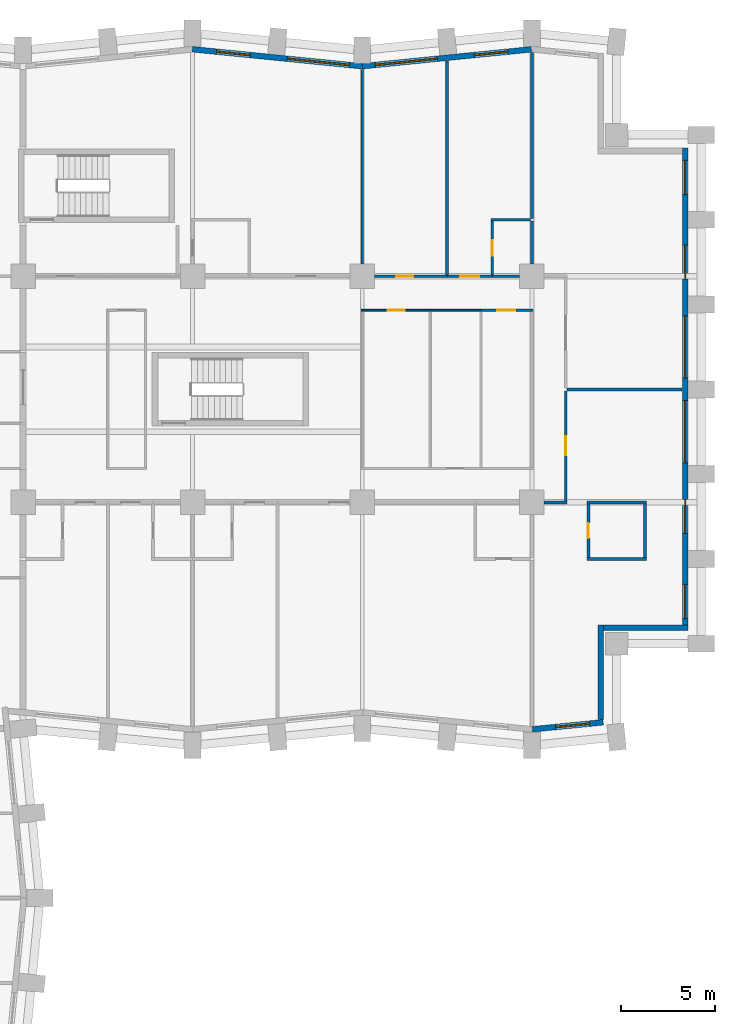
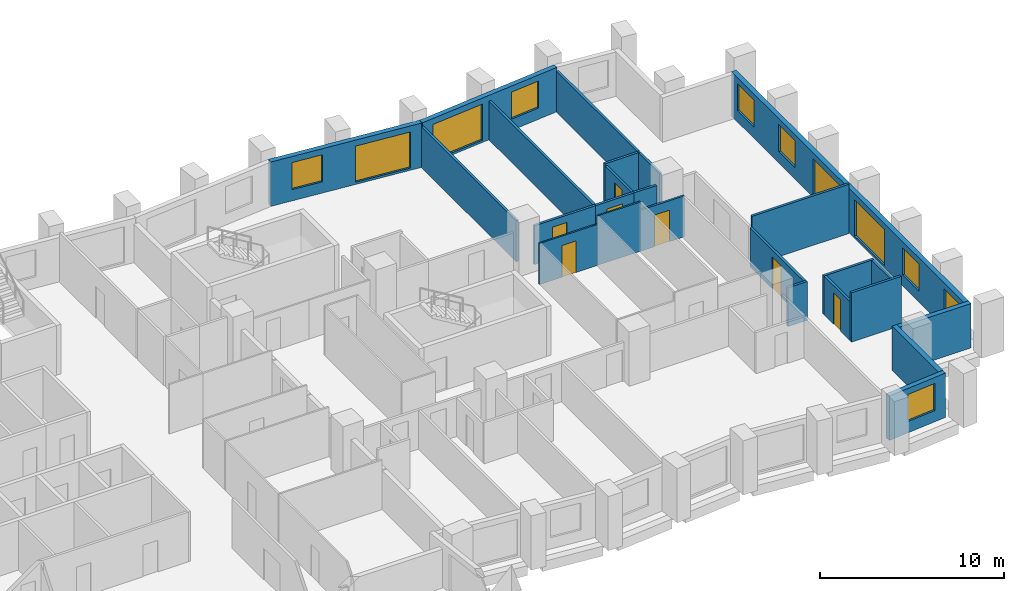
# One storey, part 9 of 12: 25 walls, 11 windows, 7 doors, 18 openings.
"""IFC4 building model written with IfcOpenShell, lengths in metres."""

from ifc_helpers import new_model, si_unit, direction, frame, frame_2d, origin, place, context, subcontext, project, spatial, rectangle, extrude, material, layer, layer_set, type_object, element, fill, save


model = new_model("IFC4")

# Units and contexts
model_context = context("Model", 3, precision=1e-05, world=origin(), true_north=direction((0.0, 1.0)))
body_context = subcontext(model_context, "Body", "Model", "MODEL_VIEW")
ifc_project = project(units=[si_unit("LENGTHUNIT", "METRE"), si_unit("AREAUNIT", "SQUARE_METRE"), si_unit("VOLUMEUNIT", "CUBIC_METRE"), si_unit("PLANEANGLEUNIT", "RADIAN"), si_unit("MASSUNIT", "GRAM", prefix="KILO")], contexts=[model_context])

# Site, building, storey
site_placement = place(None, origin())
site = spatial("IfcSite", under=ifc_project, at=site_placement, CompositionType="ELEMENT")
building_placement = place(site_placement, origin())
building = spatial("IfcBuilding", under=site, at=building_placement, Name="Brondeck Convention Tower", CompositionType="ELEMENT")
storey_placement = place(building_placement, frame((0.0, 0.0, 80.699951171875)))
storey = spatial("IfcBuildingStorey", under=building, at=storey_placement, Name="L18", CompositionType="ELEMENT", Elevation=80.699951171875)

# Wall, opening, window
ifc_material_1 = material(Name="Precast concrete C50/60 bronze finish", Category="concrete")
ifc_layer_1 = layer(ifc_material_1, 0.070068359375, Name="Bronze precast facing")
ifc_material_2 = material(Name="Mineral wool")
ifc_layer_2 = layer(ifc_material_2, 0.159912109375, Name="Insulation")
ifc_material_3 = material(Name="Concrete C35/45", Category="concrete")
ifc_layer_3 = layer(ifc_material_3, 0.070068359375, Name="Backing")
ifc_layer_set_1 = layer_set([ifc_layer_1, ifc_layer_2, ifc_layer_3], Name="External infill wall, precast concrete C50/60 bronze facing")
wall_type_1 = type_object("IfcWallType", Name="External infill wall, precast concrete C50/60 bronze facing", PredefinedType="SOLIDWALL", material=ifc_layer_set_1)
wall_1_placement = place(storey_placement, frame((66.78515625, 27.332763671875, 0.0), z_axis=(0.0, 0.0, 1.0), x_axis=(-0.995038471088, -0.099490909409, 0.0)))
wall_1 = element("IfcWall", 1, at=wall_1_placement, inside=storey, type_object=wall_type_1, Name="ENV-EW-L18-P0-A-S-06", PredefinedType="SOLIDWALL", context=body_context, shape_type="SweptSolid", body=[
    extrude(rectangle(XDim=3.774169921875, YDim=0.300048828125, at=frame_2d((1.88720703125, 0.0))), origin(), (0.0, 0.0, 1.0), 2.949951171875),
])
opening_1_placement = place(wall_1_placement, frame((0.727783203125, 0.0, 0.75)))
opening_1 = element("IfcOpeningElement", 2, at=opening_1_placement, cuts=wall_1, Name="Opening W10", PredefinedType="OPENING", context=body_context, shape_type="SweptSolid", body=[
    extrude(rectangle(XDim=1.800048828125, YDim=1.800048828125, at=frame_2d((0.89990234375, 0.89990234375))), frame((0.0, 0.159912109375, 0.0), z_axis=(0.0, -1.0, 0.0), x_axis=(1.0, 0.0, 0.0)), (0.0, 0.0, 1.0), 0.320068359375),
])
ifc_material_4 = material(Name="Bronze tinted double glazing", Category="glass")
window_type_1 = type_object("IfcWindowType", Name="Punched window, bronze tinted", PartitioningType="SINGLE_PANEL", PredefinedType="WINDOW", material=ifc_material_4)
window_1_placement = place(opening_1_placement, origin())
window_1 = element("IfcWindow", 3, at=window_1_placement, inside=storey, type_object=window_type_1, Name="ENV-WN-L18-P0-A-S-06", OverallHeight=1.800048828125, OverallWidth=1.800048828125, PartitioningType="SINGLE_PANEL", PredefinedType="WINDOW", context=body_context, shape_type="SweptSolid", body=[
    extrude(rectangle(XDim=1.800048828125, YDim=1.800048828125, at=frame_2d((0.89990234375, 0.89990234375))), frame((0.0, 0.030029296875, 0.0), z_axis=(0.0, -1.0, 0.0), x_axis=(1.0, 0.0, 0.0)), (0.0, 0.0, 1.0), 0.06005859375),
])
fill(opening_1, window_1)

# Walls
wall_2_placement = place(storey_placement, frame((66.64990234375, 32.5, 0.0), z_axis=(0.0, 0.0, 1.0), x_axis=(0.0, -1.0, 0.0)))
element("IfcWall", 4, at=wall_2_placement, inside=storey, type_object=wall_type_1, Name="ENV-EW-L18-P0-NC-SEA72-01", PredefinedType="SOLIDWALL", context=body_context, shape_type="SweptSolid", body=[
    extrude(rectangle(XDim=5.02880859375, YDim=0.300048828125, at=frame_2d((2.514404296875, 0.0))), origin(), (0.0, 0.0, 1.0), 2.949951171875),
])
wall_3_placement = place(storey_placement, frame((71.300048828125, 32.35009765625, 0.0), z_axis=(0.0, 0.0, 1.0), x_axis=(-1.0, 0.0, 0.0)))
element("IfcWall", 5, at=wall_3_placement, inside=storey, type_object=wall_type_1, Name="ENV-EW-L18-P0-NC-SEA72-02", PredefinedType="SOLIDWALL", context=body_context, shape_type="SweptSolid", body=[
    extrude(rectangle(XDim=4.5, YDim=0.300048828125, at=frame_2d((2.25, 0.0))), origin(), (0.0, 0.0, 1.0), 2.949951171875),
])

# Wall, openings, windows
wall_4_placement = place(storey_placement, frame((71.14990234375, 57.800048828125, 0.0), z_axis=(0.0, 0.0, 1.0), x_axis=(0.0, -1.0, 0.0)))
wall_4 = element("IfcWall", 6, at=wall_4_placement, inside=storey, type_object=wall_type_1, Name="ENV-EW-L18-P0-A-E72-01", PredefinedType="SOLIDWALL", context=body_context, shape_type="SweptSolid", body=[
    extrude(rectangle(XDim=25.302001953125, YDim=0.300048828125, at=frame_2d((12.65087890625, 0.0))), origin(), (0.0, 0.0, 1.0), 2.949951171875),
])
opening_2_placement = place(wall_4_placement, frame((0.64990234375, 0.0, 0.75)))
opening_2 = element("IfcOpeningElement", 7, at=opening_2_placement, cuts=wall_4, Name="Opening W10", PredefinedType="OPENING", context=body_context, shape_type="SweptSolid", body=[
    extrude(rectangle(XDim=1.800048828125, YDim=1.800048828125, at=frame_2d((0.89990234375, 0.89990234375))), frame((0.0, 0.159912109375, 0.0), z_axis=(0.0, -1.0, 0.0), x_axis=(1.0, 0.0, 0.0)), (0.0, 0.0, 1.0), 0.320068359375),
])
opening_3_placement = place(wall_4_placement, frame((5.14990234375, 0.0, 0.75)))
opening_3 = element("IfcOpeningElement", 8, at=opening_3_placement, cuts=wall_4, Name="Opening W10", PredefinedType="OPENING", context=body_context, shape_type="SweptSolid", body=[
    extrude(rectangle(XDim=1.800048828125, YDim=1.800048828125, at=frame_2d((0.89990234375, 0.89990234375))), frame((0.0, 0.159912109375, 0.0), z_axis=(0.0, -1.0, 0.0), x_axis=(1.0, 0.0, 0.0)), (0.0, 0.0, 1.0), 0.320068359375),
])
opening_4_placement = place(wall_4_placement, frame((8.89990234375, 0.0, 0.14990234375)))
opening_4 = element("IfcOpeningElement", 9, at=opening_4_placement, cuts=wall_4, Name="Opening W9", PredefinedType="OPENING", context=body_context, shape_type="SweptSolid", body=[
    extrude(rectangle(XDim=3.300048828125, YDim=2.39990234375, at=frame_2d((1.64990234375, 1.199951171875))), frame((0.0, 0.159912109375, 0.0), z_axis=(0.0, -1.0, 0.0), x_axis=(1.0, 0.0, 0.0)), (0.0, 0.0, 1.0), 0.320068359375),
])
opening_5_placement = place(wall_4_placement, frame((13.39990234375, 0.0, 0.14990234375)))
opening_5 = element("IfcOpeningElement", 10, at=opening_5_placement, cuts=wall_4, Name="Opening W9", PredefinedType="OPENING", context=body_context, shape_type="SweptSolid", body=[
    extrude(rectangle(XDim=3.300048828125, YDim=2.39990234375, at=frame_2d((1.64990234375, 1.199951171875))), frame((0.0, 0.159912109375, 0.0), z_axis=(0.0, -1.0, 0.0), x_axis=(1.0, 0.0, 0.0)), (0.0, 0.0, 1.0), 0.320068359375),
])
opening_6_placement = place(wall_4_placement, frame((18.64990234375, 0.0, 0.75)))
opening_6 = element("IfcOpeningElement", 11, at=opening_6_placement, cuts=wall_4, Name="Opening W10", PredefinedType="OPENING", context=body_context, shape_type="SweptSolid", body=[
    extrude(rectangle(XDim=1.800048828125, YDim=1.800048828125, at=frame_2d((0.89990234375, 0.89990234375))), frame((0.0, 0.159912109375, 0.0), z_axis=(0.0, -1.0, 0.0), x_axis=(1.0, 0.0, 0.0)), (0.0, 0.0, 1.0), 0.320068359375),
])
opening_7_placement = place(wall_4_placement, frame((23.14990234375, 0.0, 0.75)))
opening_7 = element("IfcOpeningElement", 12, at=opening_7_placement, cuts=wall_4, Name="Opening W10", PredefinedType="OPENING", context=body_context, shape_type="SweptSolid", body=[
    extrude(rectangle(XDim=1.800048828125, YDim=1.800048828125, at=frame_2d((0.89990234375, 0.89990234375))), frame((0.0, 0.159912109375, 0.0), z_axis=(0.0, -1.0, 0.0), x_axis=(1.0, 0.0, 0.0)), (0.0, 0.0, 1.0), 0.320068359375),
])
window_type_2 = type_object("IfcWindowType", Name="Glazed flute window, bronze tinted", PartitioningType="SINGLE_PANEL", PredefinedType="WINDOW", material=ifc_material_4)
window_2_placement = place(opening_4_placement, origin())
window_2 = element("IfcWindow", 13, at=window_2_placement, inside=storey, type_object=window_type_2, Name="ENV-WN-L18-P0-A-E72-04", OverallHeight=2.39990234375, OverallWidth=3.300048828125, PartitioningType="SINGLE_PANEL", PredefinedType="WINDOW", context=body_context, shape_type="SweptSolid", body=[
    extrude(rectangle(XDim=3.300048828125, YDim=2.39990234375, at=frame_2d((1.64990234375, 1.199951171875))), frame((0.0, 0.030029296875, 0.0), z_axis=(0.0, -1.0, 0.0), x_axis=(1.0, 0.0, 0.0)), (0.0, 0.0, 1.0), 0.06005859375),
])
fill(opening_4, window_2)
window_3_placement = place(opening_5_placement, origin())
window_3 = element("IfcWindow", 14, at=window_3_placement, inside=storey, type_object=window_type_2, Name="ENV-WN-L18-P0-A-E72-03", OverallHeight=2.39990234375, OverallWidth=3.300048828125, PartitioningType="SINGLE_PANEL", PredefinedType="WINDOW", context=body_context, shape_type="SweptSolid", body=[
    extrude(rectangle(XDim=3.300048828125, YDim=2.39990234375, at=frame_2d((1.64990234375, 1.199951171875))), frame((0.0, 0.030029296875, 0.0), z_axis=(0.0, -1.0, 0.0), x_axis=(1.0, 0.0, 0.0)), (0.0, 0.0, 1.0), 0.06005859375),
])
fill(opening_5, window_3)
window_4_placement = place(opening_2_placement, origin())
window_4 = element("IfcWindow", 15, at=window_4_placement, inside=storey, type_object=window_type_1, Name="ENV-WN-L18-P0-A-E72-06", OverallHeight=1.800048828125, OverallWidth=1.800048828125, PartitioningType="SINGLE_PANEL", PredefinedType="WINDOW", context=body_context, shape_type="SweptSolid", body=[
    extrude(rectangle(XDim=1.800048828125, YDim=1.800048828125, at=frame_2d((0.89990234375, 0.89990234375))), frame((0.0, 0.030029296875, 0.0), z_axis=(0.0, -1.0, 0.0), x_axis=(1.0, 0.0, 0.0)), (0.0, 0.0, 1.0), 0.06005859375),
])
fill(opening_2, window_4)
window_5_placement = place(opening_3_placement, origin())
window_5 = element("IfcWindow", 16, at=window_5_placement, inside=storey, type_object=window_type_1, Name="ENV-WN-L18-P0-A-E72-05", OverallHeight=1.800048828125, OverallWidth=1.800048828125, PartitioningType="SINGLE_PANEL", PredefinedType="WINDOW", context=body_context, shape_type="SweptSolid", body=[
    extrude(rectangle(XDim=1.800048828125, YDim=1.800048828125, at=frame_2d((0.89990234375, 0.89990234375))), frame((0.0, 0.030029296875, 0.0), z_axis=(0.0, -1.0, 0.0), x_axis=(1.0, 0.0, 0.0)), (0.0, 0.0, 1.0), 0.06005859375),
])
fill(opening_3, window_5)
window_6_placement = place(opening_6_placement, origin())
window_6 = element("IfcWindow", 17, at=window_6_placement, inside=storey, type_object=window_type_1, Name="ENV-WN-L18-P0-A-E72-02", OverallHeight=1.800048828125, OverallWidth=1.800048828125, PartitioningType="SINGLE_PANEL", PredefinedType="WINDOW", context=body_context, shape_type="SweptSolid", body=[
    extrude(rectangle(XDim=1.800048828125, YDim=1.800048828125, at=frame_2d((0.89990234375, 0.89990234375))), frame((0.0, 0.030029296875, 0.0), z_axis=(0.0, -1.0, 0.0), x_axis=(1.0, 0.0, 0.0)), (0.0, 0.0, 1.0), 0.06005859375),
])
fill(opening_6, window_6)
window_7_placement = place(opening_7_placement, origin())
window_7 = element("IfcWindow", 18, at=window_7_placement, inside=storey, type_object=window_type_1, Name="ENV-WN-L18-P0-A-E72-01", OverallHeight=1.800048828125, OverallWidth=1.800048828125, PartitioningType="SINGLE_PANEL", PredefinedType="WINDOW", context=body_context, shape_type="SweptSolid", body=[
    extrude(rectangle(XDim=1.800048828125, YDim=1.800048828125, at=frame_2d((0.89990234375, 0.89990234375))), frame((0.0, 0.030029296875, 0.0), z_axis=(0.0, -1.0, 0.0), x_axis=(1.0, 0.0, 0.0)), (0.0, 0.0, 1.0), 0.06005859375),
])
fill(opening_7, window_7)

wall_5_placement = place(storey_placement, frame((53.985107421875, 62.144287109375, 0.0), z_axis=(0.0, 0.0, 1.0), x_axis=(0.995037993253, 0.099495688264, 0.0)))
wall_5 = element("IfcWall", 19, at=wall_5_placement, inside=storey, type_object=wall_type_1, Name="ENV-EW-L18-P0-A-N-13", PredefinedType="SOLIDWALL", context=body_context, shape_type="SweptSolid", body=[
    extrude(rectangle(XDim=9.030029296875, YDim=0.300048828125, at=frame_2d((4.51513671875, 0.0))), origin(), (0.0, 0.0, 1.0), 2.949951171875),
])
opening_8_placement = place(wall_5_placement, frame((0.711181640625, 0.0, 0.14990234375)))
opening_8 = element("IfcOpeningElement", 20, at=opening_8_placement, cuts=wall_5, Name="Opening W9", PredefinedType="OPENING", context=body_context, shape_type="SweptSolid", body=[
    extrude(rectangle(XDim=3.300048828125, YDim=2.39990234375, at=frame_2d((1.64990234375, 1.199951171875))), frame((0.0, 0.159912109375, 0.0), z_axis=(0.0, -1.0, 0.0), x_axis=(1.0, 0.0, 0.0)), (0.0, 0.0, 1.0), 0.320068359375),
])
opening_9_placement = place(wall_5_placement, frame((5.983642578125, 0.0, 0.75)))
opening_9 = element("IfcOpeningElement", 21, at=opening_9_placement, cuts=wall_5, Name="Opening W10", PredefinedType="OPENING", context=body_context, shape_type="SweptSolid", body=[
    extrude(rectangle(XDim=1.800048828125, YDim=1.800048828125, at=frame_2d((0.89990234375, 0.89990234375))), frame((0.0, 0.159912109375, 0.0), z_axis=(0.0, -1.0, 0.0), x_axis=(1.0, 0.0, 0.0)), (0.0, 0.0, 1.0), 0.320068359375),
])
window_8_placement = place(opening_8_placement, origin())
window_8 = element("IfcWindow", 22, at=window_8_placement, inside=storey, type_object=window_type_2, Name="ENV-WN-L18-P0-A-N-12", OverallHeight=2.39990234375, OverallWidth=3.300048828125, PartitioningType="SINGLE_PANEL", PredefinedType="WINDOW", context=body_context, shape_type="SweptSolid", body=[
    extrude(rectangle(XDim=3.300048828125, YDim=2.39990234375, at=frame_2d((1.64990234375, 1.199951171875))), frame((0.0, 0.030029296875, 0.0), z_axis=(0.0, -1.0, 0.0), x_axis=(1.0, 0.0, 0.0)), (0.0, 0.0, 1.0), 0.06005859375),
])
fill(opening_8, window_8)
window_9_placement = place(opening_9_placement, origin())
window_9 = element("IfcWindow", 23, at=window_9_placement, inside=storey, type_object=window_type_1, Name="ENV-WN-L18-P0-A-N-13", OverallHeight=1.800048828125, OverallWidth=1.800048828125, PartitioningType="SINGLE_PANEL", PredefinedType="WINDOW", context=body_context, shape_type="SweptSolid", body=[
    extrude(rectangle(XDim=1.800048828125, YDim=1.800048828125, at=frame_2d((0.89990234375, 0.89990234375))), frame((0.0, 0.030029296875, 0.0), z_axis=(0.0, -1.0, 0.0), x_axis=(1.0, 0.0, 0.0)), (0.0, 0.0, 1.0), 0.06005859375),
])
fill(opening_9, window_9)

wall_6_placement = place(storey_placement, frame((44.985107421875, 63.04736328125, 0.0), z_axis=(0.0, 0.0, 1.0), x_axis=(0.995035316196, -0.099522457379, 0.0)))
wall_6 = element("IfcWall", 24, at=wall_6_placement, inside=storey, type_object=wall_type_1, Name="ENV-EW-L18-P0-A-N-11", PredefinedType="SOLIDWALL", context=body_context, shape_type="SweptSolid", body=[
    extrude(rectangle(XDim=9.030029296875, YDim=0.300048828125, at=frame_2d((4.51513671875, 0.0))), origin(), (0.0, 0.0, 1.0), 2.949951171875),
])
opening_10_placement = place(wall_6_placement, frame((1.291259765625, 0.0, 0.75)))
opening_10 = element("IfcOpeningElement", 25, at=opening_10_placement, cuts=wall_6, Name="Opening W10", PredefinedType="OPENING", context=body_context, shape_type="SweptSolid", body=[
    extrude(rectangle(XDim=1.800048828125, YDim=1.800048828125, at=frame_2d((0.89990234375, 0.89990234375))), frame((0.0, 0.159912109375, 0.0), z_axis=(0.0, -1.0, 0.0), x_axis=(1.0, 0.0, 0.0)), (0.0, 0.0, 1.0), 0.320068359375),
])
opening_11_placement = place(wall_6_placement, frame((5.063720703125, 0.0, 0.14990234375)))
opening_11 = element("IfcOpeningElement", 26, at=opening_11_placement, cuts=wall_6, Name="Opening W9", PredefinedType="OPENING", context=body_context, shape_type="SweptSolid", body=[
    extrude(rectangle(XDim=3.300048828125, YDim=2.39990234375, at=frame_2d((1.64990234375, 1.199951171875))), frame((0.0, 0.159912109375, 0.0), z_axis=(0.0, -1.0, 0.0), x_axis=(1.0, 0.0, 0.0)), (0.0, 0.0, 1.0), 0.320068359375),
])
window_10_placement = place(opening_11_placement, origin())
window_10 = element("IfcWindow", 27, at=window_10_placement, inside=storey, type_object=window_type_2, Name="ENV-WN-L18-P0-A-N-11", OverallHeight=2.39990234375, OverallWidth=3.300048828125, PartitioningType="SINGLE_PANEL", PredefinedType="WINDOW", context=body_context, shape_type="SweptSolid", body=[
    extrude(rectangle(XDim=3.300048828125, YDim=2.39990234375, at=frame_2d((1.64990234375, 1.199951171875))), frame((0.0, 0.030029296875, 0.0), z_axis=(0.0, -1.0, 0.0), x_axis=(1.0, 0.0, 0.0)), (0.0, 0.0, 1.0), 0.06005859375),
])
fill(opening_11, window_10)
window_11_placement = place(opening_10_placement, origin())
window_11 = element("IfcWindow", 28, at=window_11_placement, inside=storey, type_object=window_type_1, Name="ENV-WN-L18-P0-A-N-10", OverallHeight=1.800048828125, OverallWidth=1.800048828125, PartitioningType="SINGLE_PANEL", PredefinedType="WINDOW", context=body_context, shape_type="SweptSolid", body=[
    extrude(rectangle(XDim=1.800048828125, YDim=1.800048828125, at=frame_2d((0.89990234375, 0.89990234375))), frame((0.0, 0.030029296875, 0.0), z_axis=(0.0, -1.0, 0.0), x_axis=(1.0, 0.0, 0.0)), (0.0, 0.0, 1.0), 0.06005859375),
])
fill(opening_10, window_11)

# Walls
ifc_material_5 = material(Name="Double gypsum board acoustic wall")
ifc_layer_4 = layer(ifc_material_5, 0.14990234375)
ifc_layer_set_2 = layer_set([ifc_layer_4], Name="Guest room party wall 150")
wall_type_2 = type_object("IfcWallType", Name="Guest room party wall 150", PredefinedType="PARTITIONING", material=ifc_layer_set_2)
wall_7_placement = place(storey_placement, frame((65.925048828125, 36.0, 0.0), z_axis=(0.0, 0.0, 1.0), x_axis=(1.0, 0.0, 0.0)))
element("IfcWall", 29, at=wall_7_placement, inside=storey, type_object=wall_type_2, Name="FLR-L18-W055", PredefinedType="PARTITIONING", context=body_context, shape_type="SweptSolid", body=[
    extrude(rectangle(XDim=3.14990234375, YDim=0.14990234375, at=frame_2d((1.574951171875, 0.0))), origin(), (0.0, 0.0, 1.0), 3.280029296875),
])
wall_8_placement = place(storey_placement, frame((69.0, 36.074951171875, 0.0), z_axis=(0.0, 0.0, 1.0), x_axis=(0.0, 1.0, 0.0)))
element("IfcWall", 30, at=wall_8_placement, inside=storey, type_object=wall_type_2, Name="FLR-L18-W058", PredefinedType="PARTITIONING", context=body_context, shape_type="SweptSolid", body=[
    extrude(rectangle(XDim=2.85009765625, YDim=0.14990234375, at=frame_2d((1.425048828125, 0.0))), origin(), (0.0, 0.0, 1.0), 2.580078125),
])

# Wall, opening, door
wall_9_placement = place(storey_placement, frame((66.0, 38.925048828125, 0.0), z_axis=(0.0, 0.0, 1.0), x_axis=(0.0, -1.0, 0.0)))
wall_9 = element("IfcWall", 31, at=wall_9_placement, inside=storey, type_object=wall_type_2, Name="FLR-L18-W066", PredefinedType="PARTITIONING", context=body_context, shape_type="SweptSolid", body=[
    extrude(rectangle(XDim=2.85009765625, YDim=0.14990234375, at=frame_2d((1.425048828125, 0.0))), origin(), (0.0, 0.0, 1.0), 2.580078125),
])
opening_12_placement = place(wall_9_placement, frame((1.02490234375, 0.0, 0.0)))
opening_12 = element("IfcOpeningElement", 32, at=opening_12_placement, cuts=wall_9, Name="Opening H5-021", PredefinedType="OPENING", context=body_context, shape_type="SweptSolid", body=[
    extrude(rectangle(XDim=0.800048828125, YDim=2.10009765625, at=frame_2d((0.39990234375, 1.050048828125))), frame((0.0, 0.0849609375, 0.0), z_axis=(0.0, -1.0, 0.0), x_axis=(1.0, 0.0, 0.0)), (0.0, 0.0, 1.0), 0.169921875),
])
ifc_material_6 = material(Name="Solid timber door leaf", Category="wood")
door_type_1 = type_object("IfcDoorType", Name="En-suite door 800", OperationType="NOTDEFINED", PredefinedType="DOOR", material=ifc_material_6)
door_1_placement = place(opening_12_placement, origin())
door_1 = element("IfcDoor", 33, at=door_1_placement, inside=storey, type_object=door_type_1, Name="Door H5-021", OperationType="SINGLE_SWING_RIGHT", OverallHeight=2.10009765625, OverallWidth=0.800048828125, PredefinedType="DOOR", context=body_context, shape_type="SweptSolid", body=[
    extrude(rectangle(XDim=0.800048828125, YDim=2.10009765625, at=frame_2d((0.39990234375, 1.050048828125))), frame((0.0, 0.02490234375, 0.0), z_axis=(0.0, -1.0, 0.0), x_axis=(1.0, 0.0, 0.0)), (0.0, 0.0, 1.0), 0.050048828125),
])
fill(opening_12, door_1)

# Walls
wall_10_placement = place(storey_placement, frame((64.875, 39.0, 0.0), z_axis=(0.0, 0.0, 1.0), x_axis=(-1.0, 0.0, 0.0)))
element("IfcWall", 34, at=wall_10_placement, inside=storey, type_object=wall_type_2, Name="FLR-L18-W076", PredefinedType="PARTITIONING", context=body_context, shape_type="SweptSolid", body=[
    extrude(rectangle(XDim=1.219970703125, YDim=0.14990234375, at=frame_2d((0.60986328125, 0.0))), origin(), (0.0, 0.0, 1.0), 2.580078125),
])
wall_11_placement = place(storey_placement, frame((69.074951171875, 39.0, 0.0), z_axis=(0.0, 0.0, 1.0), x_axis=(-1.0, 0.0, 0.0)))
element("IfcWall", 35, at=wall_11_placement, inside=storey, type_object=wall_type_2, Name="FLR-L18-W077", PredefinedType="PARTITIONING", context=body_context, shape_type="SweptSolid", body=[
    extrude(rectangle(XDim=3.14990234375, YDim=0.14990234375, at=frame_2d((1.574951171875, 0.0))), origin(), (0.0, 0.0, 1.0), 2.580078125),
])

# Wall, opening, door
wall_12_placement = place(storey_placement, frame((64.800048828125, 44.925048828125, 0.0), z_axis=(0.0, 0.0, 1.0), x_axis=(0.0, -1.0, 0.0)))
wall_12 = element("IfcWall", 36, at=wall_12_placement, inside=storey, type_object=wall_type_2, Name="FLR-L18-W089", PredefinedType="PARTITIONING", context=body_context, shape_type="SweptSolid", body=[
    extrude(rectangle(XDim=5.85009765625, YDim=0.14990234375, at=frame_2d((2.925048828125, 0.0))), origin(), (0.0, 0.0, 1.0), 2.580078125),
])
opening_13_placement = place(wall_12_placement, frame((2.425048828125, 0.0, 0.0)))
opening_13 = element("IfcOpeningElement", 37, at=opening_13_placement, cuts=wall_12, Name="Opening H5-020", PredefinedType="OPENING", context=body_context, shape_type="SweptSolid", body=[
    extrude(rectangle(XDim=1.0, YDim=2.10009765625, at=frame_2d((0.5, 1.050048828125))), frame((0.0, 0.0849609375, 0.0), z_axis=(0.0, -1.0, 0.0), x_axis=(1.0, 0.0, 0.0)), (0.0, 0.0, 1.0), 0.169921875),
])
ifc_material_7 = material(Name="Solid timber fire door leaf", Category="wood")
door_type_2 = type_object("IfcDoorType", Name="Guest room door 1000", OperationType="NOTDEFINED", PredefinedType="DOOR", material=ifc_material_7)
door_2_placement = place(opening_13_placement, origin())
door_2 = element("IfcDoor", 38, at=door_2_placement, inside=storey, type_object=door_type_2, Name="Door H5-020", OperationType="SINGLE_SWING_LEFT", OverallHeight=2.10009765625, OverallWidth=1.0, PredefinedType="DOOR", context=body_context, shape_type="SweptSolid", body=[
    extrude(rectangle(XDim=1.0, YDim=2.10009765625, at=frame_2d((0.5, 1.050048828125))), frame((0.0, 0.02490234375, 0.0), z_axis=(0.0, -1.0, 0.0), x_axis=(1.0, 0.0, 0.0)), (0.0, 0.0, 1.0), 0.050048828125),
])
fill(opening_13, door_2)

# Wall
wall_13_placement = place(storey_placement, frame((70.97998046875, 45.0, 0.0), z_axis=(0.0, 0.0, 1.0), x_axis=(-1.0, 0.0, 0.0)))
element("IfcWall", 39, at=wall_13_placement, inside=storey, type_object=wall_type_2, Name="FLR-L18-W090", PredefinedType="PARTITIONING", context=body_context, shape_type="SweptSolid", body=[
    extrude(rectangle(XDim=6.10498046875, YDim=0.14990234375, at=frame_2d((3.052490234375, 0.0))), origin(), (0.0, 0.0, 1.0), 3.280029296875),
])

# Wall, opening, door
wall_14_placement = place(storey_placement, frame((54.655029296875, 51.0, 0.0), z_axis=(0.0, 0.0, 1.0), x_axis=(1.0, 0.0, 0.0)))
wall_14 = element("IfcWall", 40, at=wall_14_placement, inside=storey, type_object=wall_type_2, Name="FLR-L18-W112", PredefinedType="PARTITIONING", context=body_context, shape_type="SweptSolid", body=[
    extrude(rectangle(XDim=3.844970703125, YDim=0.14990234375, at=frame_2d((1.92236328125, 0.0))), origin(), (0.0, 0.0, 1.0), 2.580078125),
])
opening_14_placement = place(wall_14_placement, frame((1.14501953125, 0.0, 0.0)))
opening_14 = element("IfcOpeningElement", 41, at=opening_14_placement, cuts=wall_14, Name="Opening H5-004", PredefinedType="OPENING", context=body_context, shape_type="SweptSolid", body=[
    extrude(rectangle(XDim=0.89990234375, YDim=2.10009765625, at=frame_2d((0.449951171875, 1.050048828125))), frame((0.0, 0.0849609375, 0.0), z_axis=(0.0, -1.0, 0.0), x_axis=(1.0, 0.0, 0.0)), (0.0, 0.0, 1.0), 0.169921875),
])
door_type_3 = type_object("IfcDoorType", Name="Single door 900", OperationType="NOTDEFINED", PredefinedType="DOOR", material=ifc_material_6)
door_3_placement = place(opening_14_placement, origin())
door_3 = element("IfcDoor", 42, at=door_3_placement, inside=storey, type_object=door_type_3, Name="Door H5-004", OperationType="SINGLE_SWING_LEFT", OverallHeight=2.10009765625, OverallWidth=0.89990234375, PredefinedType="DOOR", context=body_context, shape_type="SweptSolid", body=[
    extrude(rectangle(XDim=0.89990234375, YDim=2.10009765625, at=frame_2d((0.449951171875, 1.050048828125))), frame((0.0, 0.02490234375, 0.0), z_axis=(0.0, -1.0, 0.0), x_axis=(1.0, 0.0, 0.0)), (0.0, 0.0, 1.0), 0.050048828125),
])
fill(opening_14, door_3)

wall_15_placement = place(storey_placement, frame((58.5, 51.0, 0.0), z_axis=(0.0, 0.0, 1.0), x_axis=(1.0, 0.0, 0.0)))
wall_15 = element("IfcWall", 43, at=wall_15_placement, inside=storey, type_object=wall_type_2, Name="FLR-L18-W113", PredefinedType="PARTITIONING", context=body_context, shape_type="SweptSolid", body=[
    extrude(rectangle(XDim=2.39990234375, YDim=0.14990234375, at=frame_2d((1.199951171875, 0.0))), origin(), (0.0, 0.0, 1.0), 2.580078125),
])
opening_15_placement = place(wall_15_placement, frame((0.699951171875, 0.0, 0.0)))
opening_15 = element("IfcOpeningElement", 44, at=opening_15_placement, cuts=wall_15, Name="Opening H5-005", PredefinedType="OPENING", context=body_context, shape_type="SweptSolid", body=[
    extrude(rectangle(XDim=1.0, YDim=2.10009765625, at=frame_2d((0.5, 1.050048828125))), frame((0.0, 0.0849609375, 0.0), z_axis=(0.0, -1.0, 0.0), x_axis=(1.0, 0.0, 0.0)), (0.0, 0.0, 1.0), 0.169921875),
])
door_4_placement = place(opening_15_placement, origin())
door_4 = element("IfcDoor", 45, at=door_4_placement, inside=storey, type_object=door_type_2, Name="Door H5-005", OperationType="SINGLE_SWING_LEFT", OverallHeight=2.10009765625, OverallWidth=1.0, PredefinedType="DOOR", context=body_context, shape_type="SweptSolid", body=[
    extrude(rectangle(XDim=1.0, YDim=2.10009765625, at=frame_2d((0.5, 1.050048828125))), frame((0.0, 0.02490234375, 0.0), z_axis=(0.0, -1.0, 0.0), x_axis=(1.0, 0.0, 0.0)), (0.0, 0.0, 1.0), 0.050048828125),
])
fill(opening_15, door_4)

# Wall
wall_16_placement = place(storey_placement, frame((60.89990234375, 51.0, 0.0), z_axis=(0.0, 0.0, 1.0), x_axis=(1.0, 0.0, 0.0)))
element("IfcWall", 46, at=wall_16_placement, inside=storey, type_object=wall_type_2, Name="FLR-L18-W114", PredefinedType="PARTITIONING", context=body_context, shape_type="SweptSolid", body=[
    extrude(rectangle(XDim=1.445068359375, YDim=0.14990234375, at=frame_2d((0.72265625, 0.0))), origin(), (0.0, 0.0, 1.0), 2.580078125),
])

# Wall, opening, door
wall_17_placement = place(storey_placement, frame((60.89990234375, 53.925048828125, 0.0), z_axis=(0.0, 0.0, 1.0), x_axis=(0.0, -1.0, 0.0)))
wall_17 = element("IfcWall", 47, at=wall_17_placement, inside=storey, type_object=wall_type_2, Name="FLR-L18-W122", PredefinedType="PARTITIONING", context=body_context, shape_type="SweptSolid", body=[
    extrude(rectangle(XDim=2.85009765625, YDim=0.14990234375, at=frame_2d((1.425048828125, 0.0))), origin(), (0.0, 0.0, 1.0), 2.580078125),
])
opening_16_placement = place(wall_17_placement, frame((1.02490234375, 0.0, 0.0)))
opening_16 = element("IfcOpeningElement", 48, at=opening_16_placement, cuts=wall_17, Name="Opening H5-006", PredefinedType="OPENING", context=body_context, shape_type="SweptSolid", body=[
    extrude(rectangle(XDim=0.800048828125, YDim=2.10009765625, at=frame_2d((0.39990234375, 1.050048828125))), frame((0.0, 0.0849609375, 0.0), z_axis=(0.0, -1.0, 0.0), x_axis=(1.0, 0.0, 0.0)), (0.0, 0.0, 1.0), 0.169921875),
])
door_5_placement = place(opening_16_placement, origin())
door_5 = element("IfcDoor", 49, at=door_5_placement, inside=storey, type_object=door_type_1, Name="Door H5-006", OperationType="SINGLE_SWING_LEFT", OverallHeight=2.10009765625, OverallWidth=0.800048828125, PredefinedType="DOOR", context=body_context, shape_type="SweptSolid", body=[
    extrude(rectangle(XDim=0.800048828125, YDim=2.10009765625, at=frame_2d((0.39990234375, 1.050048828125))), frame((0.0, 0.02490234375, 0.0), z_axis=(0.0, -1.0, 0.0), x_axis=(1.0, 0.0, 0.0)), (0.0, 0.0, 1.0), 0.050048828125),
])
fill(opening_16, door_5)

# Walls
wall_18_placement = place(storey_placement, frame((63.0, 53.925048828125, 0.0), z_axis=(0.0, 0.0, 1.0), x_axis=(0.0, -1.0, 0.0)))
element("IfcWall", 50, at=wall_18_placement, inside=storey, type_object=wall_type_2, Name="FLR-L18-W123", PredefinedType="PARTITIONING", context=body_context, shape_type="SweptSolid", body=[
    extrude(rectangle(XDim=2.27001953125, YDim=0.14990234375, at=frame_2d((1.135009765625, 0.0))), origin(), (0.0, 0.0, 1.0), 2.72998046875),
])
wall_19_placement = place(storey_placement, frame((62.925048828125, 54.0, 0.0), z_axis=(0.0, 0.0, 1.0), x_axis=(-1.0, 0.0, 0.0)))
element("IfcWall", 51, at=wall_19_placement, inside=storey, type_object=wall_type_2, Name="FLR-L18-W126", PredefinedType="PARTITIONING", context=body_context, shape_type="SweptSolid", body=[
    extrude(rectangle(XDim=2.10009765625, YDim=0.14990234375, at=frame_2d((1.050048828125, 0.0))), origin(), (0.0, 0.0, 1.0), 2.72998046875),
])
wall_20_placement = place(storey_placement, frame((54.0, 61.97509765625, 0.0), z_axis=(0.0, 0.0, 1.0), x_axis=(0.0, -1.0, 0.0)))
element("IfcWall", 52, at=wall_20_placement, inside=storey, type_object=wall_type_2, Name="FLR-L18-W128", PredefinedType="PARTITIONING", context=body_context, shape_type="SweptSolid", body=[
    extrude(rectangle(XDim=10.320068359375, YDim=0.14990234375, at=frame_2d((5.16015625, 0.0))), origin(), (0.0, 0.0, 1.0), 2.72998046875),
])
wall_21_placement = place(storey_placement, frame((58.5, 62.425048828125, 0.0), z_axis=(0.0, 0.0, 1.0), x_axis=(0.0, -1.0, 0.0)))
element("IfcWall", 53, at=wall_21_placement, inside=storey, type_object=wall_type_2, Name="FLR-L18-W130", PredefinedType="PARTITIONING", context=body_context, shape_type="SweptSolid", body=[
    extrude(rectangle(XDim=11.35009765625, YDim=0.14990234375, at=frame_2d((5.675048828125, 0.0))), origin(), (0.0, 0.0, 1.0), 2.580078125),
])
wall_22_placement = place(storey_placement, frame((63.0, 62.875, 0.0), z_axis=(0.0, 0.0, 1.0), x_axis=(0.0, -1.0, 0.0)))
element("IfcWall", 54, at=wall_22_placement, inside=storey, type_object=wall_type_2, Name="FLR-L18-W131", PredefinedType="PARTITIONING", context=body_context, shape_type="SweptSolid", body=[
    extrude(rectangle(XDim=8.800048828125, YDim=0.14990234375, at=frame_2d((4.39990234375, 0.0))), origin(), (0.0, 0.0, 1.0), 2.72998046875),
])

# Wall, opening, door
ifc_material_8 = material(Name="Gypsum board shaft wall on steel studs", Category="steel")
ifc_layer_5 = layer(ifc_material_8, 0.125)
ifc_layer_set_3 = layer_set([ifc_layer_5], Name="Riser wall 125")
wall_type_3 = type_object("IfcWallType", Name="Riser wall 125", PredefinedType="PARTITIONING", material=ifc_layer_set_3)
wall_23_placement = place(storey_placement, frame((63.0625, 49.199951171875, 0.0), z_axis=(0.0, 0.0, 1.0), x_axis=(-1.0, 0.0, 0.0)))
wall_23 = element("IfcWall", 55, at=wall_23_placement, inside=storey, type_object=wall_type_3, Name="FLR-L18-W102", PredefinedType="PARTITIONING", context=body_context, shape_type="SweptSolid", body=[
    extrude(rectangle(XDim=2.762451171875, YDim=0.125, at=frame_2d((1.38134765625, 0.0))), origin(), (0.0, 0.0, 1.0), 2.72998046875),
])
opening_17_placement = place(wall_23_placement, frame((0.9375, 0.0, 0.0)))
opening_17 = element("IfcOpeningElement", 56, at=opening_17_placement, cuts=wall_23, Name="Opening H5-018", PredefinedType="OPENING", context=body_context, shape_type="SweptSolid", body=[
    extrude(rectangle(XDim=0.949951171875, YDim=2.10009765625, at=frame_2d((0.47509765625, 1.050048828125))), frame((0.0, 0.072509765625, 0.0), z_axis=(0.0, -1.0, 0.0), x_axis=(1.0, 0.0, 0.0)), (0.0, 0.0, 1.0), 0.14501953125),
])
door_type_4 = type_object("IfcDoorType", Name="Accessible door 950", OperationType="NOTDEFINED", PredefinedType="DOOR", material=ifc_material_6)
door_6_placement = place(opening_17_placement, origin())
door_6 = element("IfcDoor", 57, at=door_6_placement, inside=storey, type_object=door_type_4, Name="Door H5-018", OperationType="SINGLE_SWING_LEFT", OverallHeight=2.10009765625, OverallWidth=0.949951171875, PredefinedType="DOOR", context=body_context, shape_type="SweptSolid", body=[
    extrude(rectangle(XDim=0.949951171875, YDim=2.10009765625, at=frame_2d((0.47509765625, 1.050048828125))), frame((0.0, 0.02490234375, 0.0), z_axis=(0.0, -1.0, 0.0), x_axis=(1.0, 0.0, 0.0)), (0.0, 0.0, 1.0), 0.050048828125),
])
fill(opening_17, door_6)

ifc_material_9 = material(Name="Gypsum board partition on steel studs", Category="steel")
ifc_layer_6 = layer(ifc_material_9, 0.10009765625)
ifc_layer_set_4 = layer_set([ifc_layer_6], Name="Room partition 100")
wall_type_4 = type_object("IfcWallType", Name="Room partition 100", PredefinedType="PARTITIONING", material=ifc_layer_set_4)
wall_24_placement = place(storey_placement, frame((57.60009765625, 49.199951171875, 0.0), z_axis=(0.0, 0.0, 1.0), x_axis=(-1.0, 0.0, 0.0)))
wall_24 = element("IfcWall", 58, at=wall_24_placement, inside=storey, type_object=wall_type_4, Name="FLR-L18-W100", PredefinedType="PARTITIONING", context=body_context, shape_type="SweptSolid", body=[
    extrude(rectangle(XDim=3.650146484375, YDim=0.10009765625, at=frame_2d((1.8251953125, 0.0))), origin(), (0.0, 0.0, 1.0), 2.72998046875),
])
opening_18_placement = place(wall_24_placement, frame((1.35009765625, 0.0, 0.0)))
opening_18 = element("IfcOpeningElement", 59, at=opening_18_placement, cuts=wall_24, Name="Opening H5-016", PredefinedType="OPENING", context=body_context, shape_type="SweptSolid", body=[
    extrude(rectangle(XDim=0.89990234375, YDim=2.10009765625, at=frame_2d((0.449951171875, 1.050048828125))), frame((0.0, 0.06005859375, 0.0), z_axis=(0.0, -1.0, 0.0), x_axis=(1.0, 0.0, 0.0)), (0.0, 0.0, 1.0), 0.1201171875),
])
door_7_placement = place(opening_18_placement, origin())
door_7 = element("IfcDoor", 60, at=door_7_placement, inside=storey, type_object=door_type_3, Name="Door H5-016", OperationType="SINGLE_SWING_RIGHT", OverallHeight=2.10009765625, OverallWidth=0.89990234375, PredefinedType="DOOR", context=body_context, shape_type="SweptSolid", body=[
    extrude(rectangle(XDim=0.89990234375, YDim=2.10009765625, at=frame_2d((0.449951171875, 1.050048828125))), frame((0.0, 0.02490234375, 0.0), z_axis=(0.0, -1.0, 0.0), x_axis=(1.0, 0.0, 0.0)), (0.0, 0.0, 1.0), 0.050048828125),
])
fill(opening_18, door_7)

# Wall
wall_25_placement = place(storey_placement, frame((60.300048828125, 49.199951171875, 0.0), z_axis=(0.0, 0.0, 1.0), x_axis=(-1.0, 0.0, 0.0)))
element("IfcWall", 61, at=wall_25_placement, inside=storey, type_object=wall_type_4, Name="FLR-L18-W101", PredefinedType="PARTITIONING", context=body_context, shape_type="SweptSolid", body=[
    extrude(rectangle(XDim=2.699951171875, YDim=0.10009765625, at=frame_2d((1.35009765625, 0.0))), origin(), (0.0, 0.0, 1.0), 3.280029296875),
])

save(model, "model.ifc")
